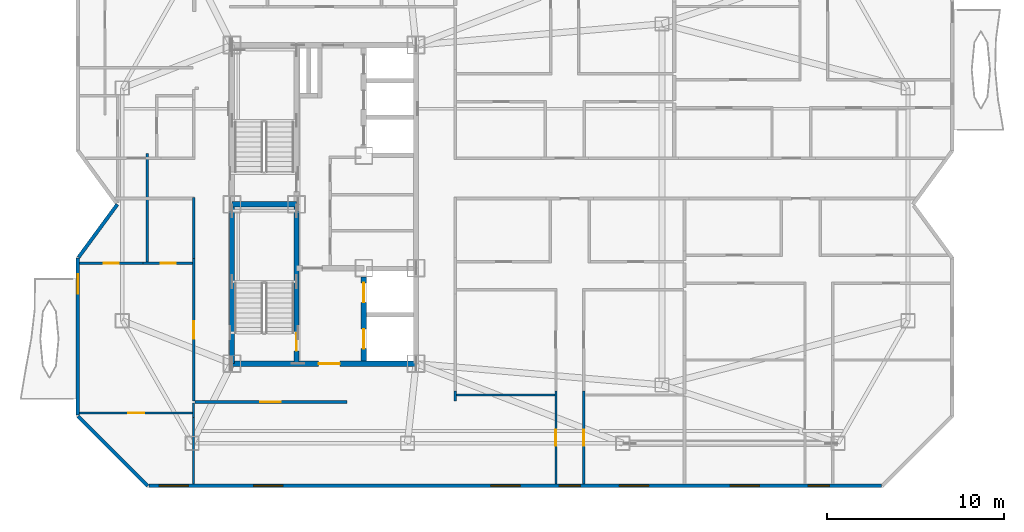
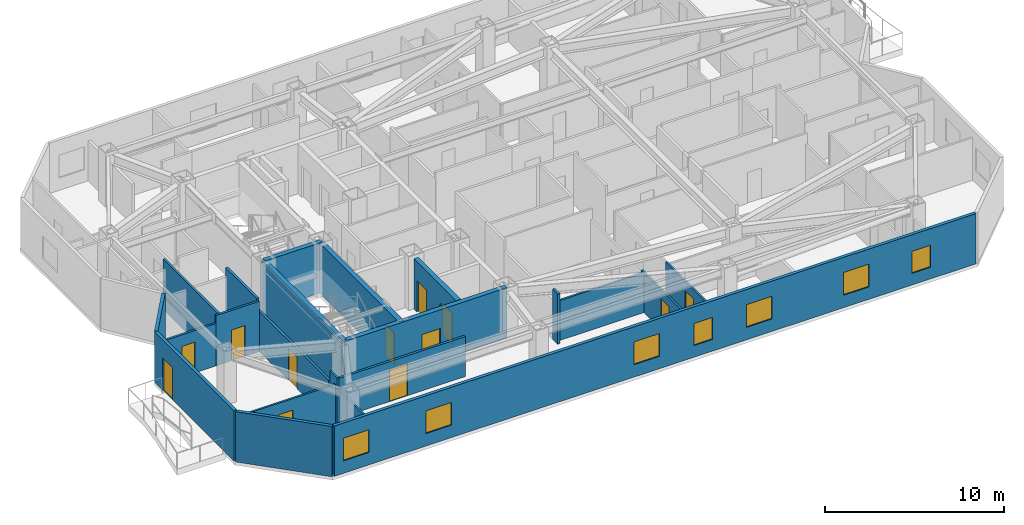
# One storey, part 4 of 10: 22 walls, 12 doors, 7 windows, 19 openings.
"""IFC4 building model written with IfcOpenShell, lengths in metres."""

from ifc_helpers import new_model, si_unit, direction, frame, frame_2d, origin, place, context, subcontext, project, spatial, rectangle, extrude, material, layer, layer_set, type_object, element, fill, save


model = new_model("IFC4")

# Units and contexts
model_context = context("Model", 3, precision=1e-05, world=origin(), true_north=direction((0.0, 1.0)))
body_context = subcontext(model_context, "Body", "Model", "MODEL_VIEW")
ifc_project = project(units=[si_unit("LENGTHUNIT", "METRE"), si_unit("AREAUNIT", "SQUARE_METRE"), si_unit("VOLUMEUNIT", "CUBIC_METRE"), si_unit("PLANEANGLEUNIT", "RADIAN"), si_unit("MASSUNIT", "GRAM", prefix="KILO")], contexts=[model_context])

# Site, building, storey
site_placement = place(None, origin())
site = spatial("IfcSite", under=ifc_project, at=site_placement, CompositionType="ELEMENT")
building_placement = place(site_placement, origin())
building = spatial("IfcBuilding", under=site, at=building_placement, Name="Khamvora Tower", CompositionType="ELEMENT")
storey_placement = place(building_placement, frame((0.0, 0.0, 250.050048828125)))
storey = spatial("IfcBuildingStorey", under=building, at=storey_placement, Name="L64", CompositionType="ELEMENT", Elevation=250.050048828125)

# Wall
ifc_material_1 = material(Name="Concrete C50/60", Category="concrete")
ifc_layer_1 = layer(ifc_material_1, 0.300048828125)
ifc_layer_set_1 = layer_set([ifc_layer_1], Name="Concrete C50/60")
wall_type_1 = type_object("IfcWallType", Name="WAL-CORE-300", PredefinedType="SHEAR", material=ifc_layer_set_1)
wall_1_placement = place(storey_placement, frame((29.0, 19.0, 0.0), z_axis=(0.0, 0.0, 1.0), x_axis=(0.0, 1.0, 0.0)))
element("IfcWall", 1, at=wall_1_placement, inside=storey, type_object=wall_type_1, Name="L64 central core west south wall", PredefinedType="SHEAR", context=body_context, shape_type="SweptSolid", body=[
    extrude(rectangle(XDim=9.0, YDim=0.300048828125, at=frame_2d((4.5, 0.0))), origin(), (0.0, 0.0, 1.0), 3.429931640625),
])

# Wall, opening, door
wall_2_placement = place(storey_placement, frame((29.0, 19.0, 0.0), z_axis=(0.0, 0.0, 1.0), x_axis=(1.0, 0.0, 0.0)))
wall_2 = element("IfcWall", 2, at=wall_2_placement, inside=storey, type_object=wall_type_1, Name="L64 central core south wall", PredefinedType="SHEAR", context=body_context, shape_type="SweptSolid", body=[
    extrude(rectangle(XDim=10.39990234375, YDim=0.300048828125, at=frame_2d((5.199951171875, 0.0))), origin(), (0.0, 0.0, 1.0), 3.429931640625),
])
opening_1_placement = place(wall_2_placement, frame((4.89990234375, 0.0, 0.0)))
opening_1 = element("IfcOpeningElement", 3, at=opening_1_placement, cuts=wall_2, Name="Opening D-CR1", PredefinedType="OPENING", context=body_context, shape_type="SweptSolid", body=[
    extrude(rectangle(XDim=1.199951171875, YDim=2.14990234375, at=frame_2d((0.60009765625, 1.074951171875))), frame((0.0, 0.159912109375, 0.0), z_axis=(0.0, -1.0, 0.0), x_axis=(1.0, 0.0, 0.0)), (0.0, 0.0, 1.0), 0.320068359375),
])
ifc_material_2 = material(Name="Powder-Coated Steel and Hardwood Leaf", Category="steel")
door_type_1 = type_object("IfcDoorType", Name="DOR-CORR-1200", OperationType="NOTDEFINED", PredefinedType="DOOR", material=ifc_material_2)
door_1_placement = place(opening_1_placement, origin())
door_1 = element("IfcDoor", 4, at=door_1_placement, inside=storey, type_object=door_type_1, Name="L64 south core lobby to corridor fire door", OperationType="SINGLE_SWING_RIGHT", OverallHeight=2.14990234375, OverallWidth=1.199951171875, PredefinedType="DOOR", context=body_context, shape_type="SweptSolid", body=[
    extrude(rectangle(XDim=1.199951171875, YDim=2.14990234375, at=frame_2d((0.60009765625, 1.074951171875))), frame((0.0, 0.02490234375, 0.0), z_axis=(0.0, -1.0, 0.0), x_axis=(1.0, 0.0, 0.0)), (0.0, 0.0, 1.0), 0.050048828125),
])
fill(opening_1, door_1)

wall_3_placement = place(storey_placement, frame((32.64990234375, 19.0, 0.0), z_axis=(0.0, 0.0, 1.0), x_axis=(0.0, 1.0, 0.0)))
wall_3 = element("IfcWall", 5, at=wall_3_placement, inside=storey, type_object=wall_type_1, Name="L64 central core stair south spine wall", PredefinedType="SHEAR", context=body_context, shape_type="SweptSolid", body=[
    extrude(rectangle(XDim=9.0, YDim=0.300048828125, at=frame_2d((4.5, 0.0))), origin(), (0.0, 0.0, 1.0), 3.429931640625),
])
opening_2_placement = place(wall_3_placement, frame((0.719970703125, 0.0, 0.0)))
opening_2 = element("IfcOpeningElement", 6, at=opening_2_placement, cuts=wall_3, Name="Opening D-ST1", PredefinedType="OPENING", context=body_context, shape_type="SweptSolid", body=[
    extrude(rectangle(XDim=1.0, YDim=2.14990234375, at=frame_2d((0.5, 1.074951171875))), frame((0.0, 0.159912109375, 0.0), z_axis=(0.0, -1.0, 0.0), x_axis=(1.0, 0.0, 0.0)), (0.0, 0.0, 1.0), 0.320068359375),
])
door_type_2 = type_object("IfcDoorType", Name="DOR-STAIR-1000", OperationType="NOTDEFINED", PredefinedType="DOOR", material=ifc_material_2)
door_2_placement = place(opening_2_placement, origin())
door_2 = element("IfcDoor", 7, at=door_2_placement, inside=storey, type_object=door_type_2, Name="L64 exit stair ST-01 fire door", OperationType="SINGLE_SWING_RIGHT", OverallHeight=2.14990234375, OverallWidth=1.0, PredefinedType="DOOR", context=body_context, shape_type="SweptSolid", body=[
    extrude(rectangle(XDim=1.0, YDim=2.14990234375, at=frame_2d((0.5, 1.074951171875))), frame((0.0, 0.02490234375, 0.0), z_axis=(0.0, -1.0, 0.0), x_axis=(1.0, 0.0, 0.0)), (0.0, 0.0, 1.0), 0.050048828125),
])
fill(opening_2, door_2)

# Wall
wall_4_placement = place(storey_placement, frame((29.0, 28.0, 0.0), z_axis=(0.0, 0.0, 1.0), x_axis=(1.0, 0.0, 0.0)))
element("IfcWall", 8, at=wall_4_placement, inside=storey, type_object=wall_type_1, Name="L64 central core stair cross wall", PredefinedType="SHEAR", context=body_context, shape_type="SweptSolid", body=[
    extrude(rectangle(XDim=3.64990234375, YDim=0.300048828125, at=frame_2d((1.824951171875, 0.0))), origin(), (0.0, 0.0, 1.0), 3.429931640625),
])

# Wall, openings, doors
wall_5_placement = place(storey_placement, frame((36.449951171875, 19.154052734375, 0.0), z_axis=(0.0, 0.0, 1.0), x_axis=(0.0, 1.0, 0.0)))
wall_5 = element("IfcWall", 9, at=wall_5_placement, inside=storey, type_object=wall_type_1, Name="L64 central core lift bank south wall", PredefinedType="SHEAR", context=body_context, shape_type="SweptSolid", body=[
    extrude(rectangle(XDim=4.745849609375, YDim=0.300048828125, at=frame_2d((2.373046875, 0.0))), origin(), (0.0, 0.0, 1.0), 3.429931640625),
])
opening_3_placement = place(wall_5_placement, frame((0.696044921875, 0.0, 0.0)))
opening_3 = element("IfcOpeningElement", 10, at=opening_3_placement, cuts=wall_5, Name="Opening LD-FFL", PredefinedType="OPENING", context=body_context, shape_type="SweptSolid", body=[
    extrude(rectangle(XDim=1.10009765625, YDim=2.14990234375, at=frame_2d((0.550048828125, 1.074951171875))), frame((0.0, 0.159912109375, 0.0), z_axis=(0.0, -1.0, 0.0), x_axis=(1.0, 0.0, 0.0)), (0.0, 0.0, 1.0), 0.320068359375),
])
opening_4_placement = place(wall_5_placement, frame((3.31591796875, 0.0, 0.0)))
opening_4 = element("IfcOpeningElement", 11, at=opening_4_placement, cuts=wall_5, Name="Opening LD-FFL", PredefinedType="OPENING", context=body_context, shape_type="SweptSolid", body=[
    extrude(rectangle(XDim=1.10009765625, YDim=2.14990234375, at=frame_2d((0.550048828125, 1.074951171875))), frame((0.0, 0.159912109375, 0.0), z_axis=(0.0, -1.0, 0.0), x_axis=(1.0, 0.0, 0.0)), (0.0, 0.0, 1.0), 0.320068359375),
])
door_type_3 = type_object("IfcDoorType", Name="DOR-LIFT-1100", OperationType="SLIDING_TO_LEFT", PredefinedType="DOOR", material=ifc_material_2)
door_3_placement = place(opening_3_placement, origin())
door_3 = element("IfcDoor", 12, at=door_3_placement, inside=storey, type_object=door_type_3, Name="L64 lift landing sliding door FFL-01", OperationType="SLIDING_TO_LEFT", OverallHeight=2.14990234375, OverallWidth=1.10009765625, PredefinedType="DOOR", context=body_context, shape_type="SweptSolid", body=[
    extrude(rectangle(XDim=1.10009765625, YDim=2.14990234375, at=frame_2d((0.550048828125, 1.074951171875))), frame((0.0, 0.02490234375, 0.0), z_axis=(0.0, -1.0, 0.0), x_axis=(1.0, 0.0, 0.0)), (0.0, 0.0, 1.0), 0.050048828125),
])
fill(opening_3, door_3)
door_4_placement = place(opening_4_placement, origin())
door_4 = element("IfcDoor", 13, at=door_4_placement, inside=storey, type_object=door_type_3, Name="L64 lift landing sliding door FFL-02", OperationType="SLIDING_TO_LEFT", OverallHeight=2.14990234375, OverallWidth=1.10009765625, PredefinedType="DOOR", context=body_context, shape_type="SweptSolid", body=[
    extrude(rectangle(XDim=1.10009765625, YDim=2.14990234375, at=frame_2d((0.550048828125, 1.074951171875))), frame((0.0, 0.02490234375, 0.0), z_axis=(0.0, -1.0, 0.0), x_axis=(1.0, 0.0, 0.0)), (0.0, 0.0, 1.0), 0.050048828125),
])
fill(opening_4, door_4)

# Wall, opening, door
ifc_material_3 = material(Name="Fire-Rated Drywall and Steel Stud", Category="steel")
ifc_layer_2 = layer(ifc_material_3, 0.14990234375)
ifc_layer_set_2 = layer_set([ifc_layer_2], Name="Fire-Rated Drywall and Steel Stud")
wall_type_2 = type_object("IfcWallType", Name="WAL-CORR-150", PredefinedType="STANDARD", material=ifc_layer_set_2)
wall_6_placement = place(storey_placement, frame((35.513916015625, 16.8349609375, 0.0), z_axis=(0.0, 0.0, 1.0), x_axis=(-1.0, 0.0, 0.0)))
wall_6 = element("IfcWall", 14, at=wall_6_placement, inside=storey, type_object=wall_type_2, Name="L64 interior partition wall 007", PredefinedType="STANDARD", context=body_context, shape_type="SweptSolid", body=[
    extrude(rectangle(XDim=8.614013671875, YDim=0.14990234375, at=frame_2d((4.30712890625, 0.0))), origin(), (0.0, 0.0, 1.0), 2.724853515625),
])
opening_5_placement = place(wall_6_placement, frame((3.7529296875, 0.0, 0.0)))
opening_5 = element("IfcOpeningElement", 15, at=opening_5_placement, cuts=wall_6, Name="Opening D-SC1", PredefinedType="OPENING", context=body_context, shape_type="SweptSolid", body=[
    extrude(rectangle(XDim=1.14990234375, YDim=2.199951171875, at=frame_2d((0.574951171875, 1.10009765625))), frame((0.0, 0.0849609375, 0.0), z_axis=(0.0, -1.0, 0.0), x_axis=(1.0, 0.0, 0.0)), (0.0, 0.0, 1.0), 0.169921875),
])
door_type_4 = type_object("IfcDoorType", Name="DOR-SCHL-1150", OperationType="NOTDEFINED", PredefinedType="DOOR", material=ifc_material_2)
door_5_placement = place(opening_5_placement, origin())
door_5 = element("IfcDoor", 16, at=door_5_placement, inside=storey, type_object=door_type_4, Name="L64 interior door COR-RCOW", OperationType="SINGLE_SWING_LEFT", OverallHeight=2.199951171875, OverallWidth=1.14990234375, PredefinedType="DOOR", context=body_context, shape_type="SweptSolid", body=[
    extrude(rectangle(XDim=1.14990234375, YDim=2.199951171875, at=frame_2d((0.574951171875, 1.10009765625))), frame((0.0, 0.02490234375, 0.0), z_axis=(0.0, -1.0, 0.0), x_axis=(1.0, 0.0, 0.0)), (0.0, 0.0, 1.0), 0.050048828125),
])
fill(opening_5, door_5)

wall_7_placement = place(storey_placement, frame((26.8349609375, 16.89990234375, 0.0), z_axis=(0.0, 0.0, 1.0), x_axis=(0.0, 1.0, 0.0)))
wall_7 = element("IfcWall", 17, at=wall_7_placement, inside=storey, type_object=wall_type_2, Name="L64 interior partition wall 008", PredefinedType="STANDARD", context=body_context, shape_type="SweptSolid", body=[
    extrude(rectangle(XDim=8.033203125, YDim=0.14990234375, at=frame_2d((4.0166015625, 0.0))), origin(), (0.0, 0.0, 1.0), 2.724853515625),
])
opening_6_placement = place(wall_7_placement, frame((3.4951171875, 0.0, 0.0)))
opening_6 = element("IfcOpeningElement", 18, at=opening_6_placement, cuts=wall_7, Name="Opening D-U1", PredefinedType="OPENING", context=body_context, shape_type="SweptSolid", body=[
    extrude(rectangle(XDim=1.0, YDim=2.14990234375, at=frame_2d((0.5, 1.074951171875))), frame((0.0, 0.0849609375, 0.0), z_axis=(0.0, -1.0, 0.0), x_axis=(1.0, 0.0, 0.0)), (0.0, 0.0, 1.0), 0.169921875),
])
door_type_5 = type_object("IfcDoorType", Name="DOR-UNIT-1000", OperationType="NOTDEFINED", PredefinedType="DOOR", material=ifc_material_2)
door_6_placement = place(opening_6_placement, origin())
door_6 = element("IfcDoor", 19, at=door_6_placement, inside=storey, type_object=door_type_5, Name="L64 interior door COR-64WAH", OperationType="SINGLE_SWING_RIGHT", OverallHeight=2.14990234375, OverallWidth=1.0, PredefinedType="DOOR", context=body_context, shape_type="SweptSolid", body=[
    extrude(rectangle(XDim=1.0, YDim=2.14990234375, at=frame_2d((0.5, 1.074951171875))), frame((0.0, 0.02490234375, 0.0), z_axis=(0.0, -1.0, 0.0), x_axis=(1.0, 0.0, 0.0)), (0.0, 0.0, 1.0), 0.050048828125),
])
fill(opening_6, door_6)

# Walls
wall_8_placement = place(storey_placement, frame((26.8349609375, 24.93310546875, 0.0), z_axis=(0.0, 0.0, 1.0), x_axis=(0.0, 1.0, 0.0)))
element("IfcWall", 20, at=wall_8_placement, inside=storey, type_object=wall_type_2, Name="L64 interior partition wall 009", PredefinedType="STANDARD", context=body_context, shape_type="SweptSolid", body=[
    extrude(rectangle(XDim=3.466796875, YDim=0.14990234375, at=frame_2d((1.7333984375, 0.0))), origin(), (0.0, 0.0, 1.0), 3.429931640625),
])
wall_9_placement = place(storey_placement, frame((41.614990234375, 17.468994140625, 0.0), z_axis=(0.0, 0.0, 1.0), x_axis=(0.0, -1.0, 0.0)))
element("IfcWall", 21, at=wall_9_placement, inside=storey, type_object=wall_type_2, Name="L64 interior partition wall 024", PredefinedType="STANDARD", context=body_context, shape_type="SweptSolid", body=[
    extrude(rectangle(XDim=0.569091796875, YDim=0.14990234375, at=frame_2d((0.28466796875, 0.0))), origin(), (0.0, 0.0, 1.0), 3.429931640625),
])
ifc_material_4 = material(Name="Precast concrete C40/50", Category="concrete")
ifc_layer_3 = layer(ifc_material_4, 0.199951171875)
ifc_layer_set_3 = layer_set([ifc_layer_3], Name="Precast concrete C40/50")
wall_type_3 = type_object("IfcWallType", Name="WAL-EXT-200", PredefinedType="STANDARD", material=ifc_layer_set_3)
wall_10_placement = place(storey_placement, frame((24.240966796875, 12.10009765625, 0.0), z_axis=(0.0, 0.0, 1.0), x_axis=(-0.707106781187, 0.707106781187, 0.0)))
element("IfcWall", 22, at=wall_10_placement, inside=storey, type_object=wall_type_3, Name="L64 exterior facade wall 01.1", PredefinedType="STANDARD", context=body_context, shape_type="SweptSolid", body=[
    extrude(rectangle(XDim=5.5732421875, YDim=0.199951171875, at=frame_2d((2.78662109375, 0.0))), origin(), (0.0, 0.0, 1.0), 3.429931640625),
])

# Wall, opening, door
wall_11_placement = place(storey_placement, frame((20.300048828125, 16.10400390625, 0.0), z_axis=(0.0, 0.0, 1.0), x_axis=(0.0, 1.0, 0.0)))
wall_11 = element("IfcWall", 23, at=wall_11_placement, inside=storey, type_object=wall_type_3, Name="L64 exterior facade wall 02.1", PredefinedType="STANDARD", context=body_context, shape_type="SweptSolid", body=[
    extrude(rectangle(XDim=8.863037109375, YDim=0.199951171875, at=frame_2d((4.431640625, 0.0))), origin(), (0.0, 0.0, 1.0), 3.429931640625),
])
opening_7_placement = place(wall_11_placement, frame((6.85595703125, 0.0, 0.0)))
opening_7 = element("IfcOpeningElement", 24, at=opening_7_placement, cuts=wall_11, Name="Opening BD-01", PredefinedType="OPENING", context=body_context, shape_type="SweptSolid", body=[
    extrude(rectangle(XDim=1.10009765625, YDim=2.199951171875, at=frame_2d((0.550048828125, 1.10009765625))), frame((0.0, 0.10986328125, 0.0), z_axis=(0.0, -1.0, 0.0), x_axis=(1.0, 0.0, 0.0)), (0.0, 0.0, 1.0), 0.219970703125),
])
ifc_material_5 = material(Name="Anodised Aluminium and Laminated Safety Glass", Category="aluminium")
door_type_6 = type_object("IfcDoorType", Name="DOR-BAL-1100", OperationType="NOTDEFINED", PredefinedType="DOOR", material=ifc_material_5)
door_7_placement = place(opening_7_placement, origin())
door_7 = element("IfcDoor", 25, at=door_7_placement, inside=storey, type_object=door_type_6, Name="L64 lens gallery balcony door WL1", OperationType="SLIDING_TO_LEFT", OverallHeight=2.199951171875, OverallWidth=1.10009765625, PredefinedType="DOOR", context=body_context, shape_type="SweptSolid", body=[
    extrude(rectangle(XDim=1.10009765625, YDim=2.199951171875, at=frame_2d((0.550048828125, 1.10009765625))), frame((0.0, 0.02490234375, 0.0), z_axis=(0.0, -1.0, 0.0), x_axis=(1.0, 0.0, 0.0)), (0.0, 0.0, 1.0), 0.050048828125),
])
fill(opening_7, door_7)

# Wall
wall_12_placement = place(storey_placement, frame((20.3291015625, 25.007080078125, 0.0), z_axis=(0.0, 0.0, 1.0), x_axis=(0.591366515379, 0.806402904564, 0.0)))
element("IfcWall", 26, at=wall_12_placement, inside=storey, type_object=wall_type_3, Name="L64 exterior facade wall 03.1", PredefinedType="STANDARD", context=body_context, shape_type="SweptSolid", body=[
    extrude(rectangle(XDim=3.71142578125, YDim=0.199951171875, at=frame_2d((1.855712890625, 0.0))), origin(), (0.0, 0.0, 1.0), 3.429931640625),
])

# Wall, openings, windows
wall_13_placement = place(storey_placement, frame((65.696044921875, 12.10009765625, 0.0), z_axis=(0.0, 0.0, 1.0), x_axis=(-1.0, 0.0, 0.0)))
wall_13 = element("IfcWall", 27, at=wall_13_placement, inside=storey, type_object=wall_type_3, Name="L64 exterior facade wall 14.1", PredefinedType="STANDARD", context=body_context, shape_type="SweptSolid", body=[
    extrude(rectangle(XDim=41.39306640625, YDim=0.199951171875, at=frame_2d((20.696533203125, 0.0))), origin(), (0.0, 0.0, 1.0), 3.429931640625),
])
opening_8_placement = place(wall_13_placement, frame((33.821044921875, 0.0, 0.85009765625)))
opening_8 = element("IfcOpeningElement", 28, at=opening_8_placement, cuts=wall_13, Name="Opening WN-06", PredefinedType="OPENING", context=body_context, shape_type="SweptSolid", body=[
    extrude(rectangle(XDim=1.64990234375, YDim=1.550048828125, at=frame_2d((0.824951171875, 0.77490234375))), frame((0.0, 0.10986328125, 0.0), z_axis=(0.0, -1.0, 0.0), x_axis=(1.0, 0.0, 0.0)), (0.0, 0.0, 1.0), 0.219970703125),
])
opening_9_placement = place(wall_13_placement, frame((39.159912109375, 0.0, 0.85009765625)))
opening_9 = element("IfcOpeningElement", 29, at=opening_9_placement, cuts=wall_13, Name="Opening WN-06", PredefinedType="OPENING", context=body_context, shape_type="SweptSolid", body=[
    extrude(rectangle(XDim=1.64990234375, YDim=1.550048828125, at=frame_2d((0.824951171875, 0.77490234375))), frame((0.0, 0.10986328125, 0.0), z_axis=(0.0, -1.0, 0.0), x_axis=(1.0, 0.0, 0.0)), (0.0, 0.0, 1.0), 0.219970703125),
])
opening_10_placement = place(wall_13_placement, frame((17.006103515625, 0.0, 0.800048828125)))
opening_10 = element("IfcOpeningElement", 30, at=opening_10_placement, cuts=wall_13, Name="Opening WN-03", PredefinedType="OPENING", context=body_context, shape_type="SweptSolid", body=[
    extrude(rectangle(XDim=1.199951171875, YDim=1.5, at=frame_2d((0.60009765625, 0.75))), frame((0.0, 0.10986328125, 0.0), z_axis=(0.0, -1.0, 0.0), x_axis=(1.0, 0.0, 0.0)), (0.0, 0.0, 1.0), 0.219970703125),
])
opening_11_placement = place(wall_13_placement, frame((20.410888671875, 0.0, 0.85009765625)))
opening_11 = element("IfcOpeningElement", 31, at=opening_11_placement, cuts=wall_13, Name="Opening WN-06", PredefinedType="OPENING", context=body_context, shape_type="SweptSolid", body=[
    extrude(rectangle(XDim=1.64990234375, YDim=1.550048828125, at=frame_2d((0.824951171875, 0.77490234375))), frame((0.0, 0.10986328125, 0.0), z_axis=(0.0, -1.0, 0.0), x_axis=(1.0, 0.0, 0.0)), (0.0, 0.0, 1.0), 0.219970703125),
])
opening_12_placement = place(wall_13_placement, frame((13.15087890625, 0.0, 0.85009765625)))
opening_12 = element("IfcOpeningElement", 32, at=opening_12_placement, cuts=wall_13, Name="Opening WN-06", PredefinedType="OPENING", context=body_context, shape_type="SweptSolid", body=[
    extrude(rectangle(XDim=1.64990234375, YDim=1.550048828125, at=frame_2d((0.824951171875, 0.77490234375))), frame((0.0, 0.10986328125, 0.0), z_axis=(0.0, -1.0, 0.0), x_axis=(1.0, 0.0, 0.0)), (0.0, 0.0, 1.0), 0.219970703125),
])
opening_13_placement = place(wall_13_placement, frame((2.93603515625, 0.0, 0.800048828125)))
opening_13 = element("IfcOpeningElement", 33, at=opening_13_placement, cuts=wall_13, Name="Opening WN-03", PredefinedType="OPENING", context=body_context, shape_type="SweptSolid", body=[
    extrude(rectangle(XDim=1.199951171875, YDim=1.5, at=frame_2d((0.60009765625, 0.75))), frame((0.0, 0.10986328125, 0.0), z_axis=(0.0, -1.0, 0.0), x_axis=(1.0, 0.0, 0.0)), (0.0, 0.0, 1.0), 0.219970703125),
])
opening_14_placement = place(wall_13_placement, frame((6.90087890625, 0.0, 0.85009765625)))
opening_14 = element("IfcOpeningElement", 34, at=opening_14_placement, cuts=wall_13, Name="Opening WN-06", PredefinedType="OPENING", context=body_context, shape_type="SweptSolid", body=[
    extrude(rectangle(XDim=1.64990234375, YDim=1.550048828125, at=frame_2d((0.824951171875, 0.77490234375))), frame((0.0, 0.10986328125, 0.0), z_axis=(0.0, -1.0, 0.0), x_axis=(1.0, 0.0, 0.0)), (0.0, 0.0, 1.0), 0.219970703125),
])
ifc_material_6 = material(Name="Low-E Laminated Double Glazing", Category="glass")
window_type_1 = type_object("IfcWindowType", Name="WIN-VIS-1200x1500", PartitioningType="SINGLE_PANEL", PredefinedType="WINDOW", material=ifc_material_6)
window_1_placement = place(opening_10_placement, origin())
window_1 = element("IfcWindow", 35, at=window_1_placement, inside=storey, type_object=window_type_1, Name="L64 vision window 14.1.03", OverallHeight=1.5, OverallWidth=1.199951171875, PartitioningType="SINGLE_PANEL", PredefinedType="WINDOW", context=body_context, shape_type="SweptSolid", body=[
    extrude(rectangle(XDim=1.199951171875, YDim=1.5, at=frame_2d((0.60009765625, 0.75))), frame((0.0, 0.030029296875, 0.0), z_axis=(0.0, -1.0, 0.0), x_axis=(1.0, 0.0, 0.0)), (0.0, 0.0, 1.0), 0.06005859375),
])
fill(opening_10, window_1)
window_2_placement = place(opening_13_placement, origin())
window_2 = element("IfcWindow", 36, at=window_2_placement, inside=storey, type_object=window_type_1, Name="L64 vision window 14.1.06", OverallHeight=1.5, OverallWidth=1.199951171875, PartitioningType="SINGLE_PANEL", PredefinedType="WINDOW", context=body_context, shape_type="SweptSolid", body=[
    extrude(rectangle(XDim=1.199951171875, YDim=1.5, at=frame_2d((0.60009765625, 0.75))), frame((0.0, 0.030029296875, 0.0), z_axis=(0.0, -1.0, 0.0), x_axis=(1.0, 0.0, 0.0)), (0.0, 0.0, 1.0), 0.06005859375),
])
fill(opening_13, window_2)
window_type_2 = type_object("IfcWindowType", Name="WIN-VIS-1650x1550", PartitioningType="SINGLE_PANEL", PredefinedType="WINDOW", material=ifc_material_6)
window_3_placement = place(opening_8_placement, origin())
window_3 = element("IfcWindow", 37, at=window_3_placement, inside=storey, type_object=window_type_2, Name="L64 vision window 14.1.01", OverallHeight=1.550048828125, OverallWidth=1.64990234375, PartitioningType="SINGLE_PANEL", PredefinedType="WINDOW", context=body_context, shape_type="SweptSolid", body=[
    extrude(rectangle(XDim=1.64990234375, YDim=1.550048828125, at=frame_2d((0.824951171875, 0.77490234375))), frame((0.0, 0.030029296875, 0.0), z_axis=(0.0, -1.0, 0.0), x_axis=(1.0, 0.0, 0.0)), (0.0, 0.0, 1.0), 0.06005859375),
])
fill(opening_8, window_3)
window_4_placement = place(opening_9_placement, origin())
window_4 = element("IfcWindow", 38, at=window_4_placement, inside=storey, type_object=window_type_2, Name="L64 vision window 14.1.02", OverallHeight=1.550048828125, OverallWidth=1.64990234375, PartitioningType="SINGLE_PANEL", PredefinedType="WINDOW", context=body_context, shape_type="SweptSolid", body=[
    extrude(rectangle(XDim=1.64990234375, YDim=1.550048828125, at=frame_2d((0.824951171875, 0.77490234375))), frame((0.0, 0.030029296875, 0.0), z_axis=(0.0, -1.0, 0.0), x_axis=(1.0, 0.0, 0.0)), (0.0, 0.0, 1.0), 0.06005859375),
])
fill(opening_9, window_4)
window_5_placement = place(opening_11_placement, origin())
window_5 = element("IfcWindow", 39, at=window_5_placement, inside=storey, type_object=window_type_2, Name="L64 vision window 14.1.04", OverallHeight=1.550048828125, OverallWidth=1.64990234375, PartitioningType="SINGLE_PANEL", PredefinedType="WINDOW", context=body_context, shape_type="SweptSolid", body=[
    extrude(rectangle(XDim=1.64990234375, YDim=1.550048828125, at=frame_2d((0.824951171875, 0.77490234375))), frame((0.0, 0.030029296875, 0.0), z_axis=(0.0, -1.0, 0.0), x_axis=(1.0, 0.0, 0.0)), (0.0, 0.0, 1.0), 0.06005859375),
])
fill(opening_11, window_5)
window_6_placement = place(opening_12_placement, origin())
window_6 = element("IfcWindow", 40, at=window_6_placement, inside=storey, type_object=window_type_2, Name="L64 vision window 14.1.05", OverallHeight=1.550048828125, OverallWidth=1.64990234375, PartitioningType="SINGLE_PANEL", PredefinedType="WINDOW", context=body_context, shape_type="SweptSolid", body=[
    extrude(rectangle(XDim=1.64990234375, YDim=1.550048828125, at=frame_2d((0.824951171875, 0.77490234375))), frame((0.0, 0.030029296875, 0.0), z_axis=(0.0, -1.0, 0.0), x_axis=(1.0, 0.0, 0.0)), (0.0, 0.0, 1.0), 0.06005859375),
])
fill(opening_12, window_6)
window_7_placement = place(opening_14_placement, origin())
window_7 = element("IfcWindow", 41, at=window_7_placement, inside=storey, type_object=window_type_2, Name="L64 vision window 14.1.07", OverallHeight=1.550048828125, OverallWidth=1.64990234375, PartitioningType="SINGLE_PANEL", PredefinedType="WINDOW", context=body_context, shape_type="SweptSolid", body=[
    extrude(rectangle(XDim=1.64990234375, YDim=1.550048828125, at=frame_2d((0.824951171875, 0.77490234375))), frame((0.0, 0.030029296875, 0.0), z_axis=(0.0, -1.0, 0.0), x_axis=(1.0, 0.0, 0.0)), (0.0, 0.0, 1.0), 0.06005859375),
])
fill(opening_14, window_7)

# Walls
ifc_material_7 = material(Name="Gypsum Plasterboard Partition", Category="gypsum")
ifc_layer_4 = layer(ifc_material_7, 0.1201171875)
ifc_layer_set_4 = layer_set([ifc_layer_4], Name="Gypsum Plasterboard Partition")
wall_type_4 = type_object("IfcWallType", Name="WAL-PART-120", PredefinedType="PARTITIONING", material=ifc_layer_set_4)
wall_14_placement = place(storey_placement, frame((26.8349609375, 15.9609375, 0.0), z_axis=(0.0, 0.0, 1.0), x_axis=(0.0, 1.0, 0.0)))
element("IfcWall", 42, at=wall_14_placement, inside=storey, type_object=wall_type_4, Name="L64 interior partition wall 039", PredefinedType="PARTITIONING", context=body_context, shape_type="SweptSolid", body=[
    extrude(rectangle(XDim=0.80908203125, YDim=0.1201171875, at=frame_2d((0.404541015625, 0.0))), origin(), (0.0, 0.0, 1.0), 3.429931640625),
])
wall_15_placement = place(storey_placement, frame((26.8349609375, 12.19189453125, 0.0), z_axis=(0.0, 0.0, 1.0), x_axis=(0.0, 1.0, 0.0)))
element("IfcWall", 43, at=wall_15_placement, inside=storey, type_object=wall_type_4, Name="L64 interior partition wall 040", PredefinedType="PARTITIONING", context=body_context, shape_type="SweptSolid", body=[
    extrude(rectangle(XDim=3.76904296875, YDim=0.1201171875, at=frame_2d((1.884521484375, 0.0))), origin(), (0.0, 0.0, 1.0), 2.724853515625),
])

# Wall, opening, door
wall_16_placement = place(storey_placement, frame((26.781005859375, 16.2099609375, 0.0), z_axis=(0.0, 0.0, 1.0), x_axis=(-1.0, 0.0, 0.0)))
wall_16 = element("IfcWall", 44, at=wall_16_placement, inside=storey, type_object=wall_type_4, Name="L64 interior partition wall 043", PredefinedType="PARTITIONING", context=body_context, shape_type="SweptSolid", body=[
    extrude(rectangle(XDim=6.388916015625, YDim=0.1201171875, at=frame_2d((3.1943359375, 0.0))), origin(), (0.0, 0.0, 1.0), 2.886962890625),
])
opening_15_placement = place(wall_16_placement, frame((2.743896484375, 0.0, 0.0)))
opening_15 = element("IfcOpeningElement", 45, at=opening_15_placement, cuts=wall_16, Name="Opening D-RM1", PredefinedType="OPENING", context=body_context, shape_type="SweptSolid", body=[
    extrude(rectangle(XDim=0.89990234375, YDim=2.10009765625, at=frame_2d((0.449951171875, 1.050048828125))), frame((0.0, 0.070068359375, 0.0), z_axis=(0.0, -1.0, 0.0), x_axis=(1.0, 0.0, 0.0)), (0.0, 0.0, 1.0), 0.14013671875),
])
door_type_7 = type_object("IfcDoorType", Name="DOR-ROOM-900", OperationType="NOTDEFINED", PredefinedType="DOOR", material=ifc_material_2)
door_8_placement = place(opening_15_placement, origin())
door_8 = element("IfcDoor", 46, at=door_8_placement, inside=storey, type_object=door_type_7, Name="L64 interior door 64WAH-64WAR1", OperationType="SINGLE_SWING_LEFT", OverallHeight=2.10009765625, OverallWidth=0.89990234375, PredefinedType="DOOR", context=body_context, shape_type="SweptSolid", body=[
    extrude(rectangle(XDim=0.89990234375, YDim=2.10009765625, at=frame_2d((0.449951171875, 1.050048828125))), frame((0.0, 0.02490234375, 0.0), z_axis=(0.0, -1.0, 0.0), x_axis=(1.0, 0.0, 0.0)), (0.0, 0.0, 1.0), 0.050048828125),
])
fill(opening_15, door_8)

wall_17_placement = place(storey_placement, frame((47.304931640625, 12.19189453125, 0.0), z_axis=(0.0, 0.0, 1.0), x_axis=(0.0, 1.0, 0.0)))
wall_17 = element("IfcWall", 47, at=wall_17_placement, inside=storey, type_object=wall_type_4, Name="L64 interior partition wall 062", PredefinedType="PARTITIONING", context=body_context, shape_type="SweptSolid", body=[
    extrude(rectangle(XDim=5.277099609375, YDim=0.1201171875, at=frame_2d((2.638671875, 0.0))), origin(), (0.0, 0.0, 1.0), 2.724853515625),
])
opening_16_placement = place(wall_17_placement, frame((2.1669921875, 0.0, 0.0)))
opening_16 = element("IfcOpeningElement", 48, at=opening_16_placement, cuts=wall_17, Name="Opening D-RM1", PredefinedType="OPENING", context=body_context, shape_type="SweptSolid", body=[
    extrude(rectangle(XDim=0.89990234375, YDim=2.10009765625, at=frame_2d((0.449951171875, 1.050048828125))), frame((0.0, 0.070068359375, 0.0), z_axis=(0.0, -1.0, 0.0), x_axis=(1.0, 0.0, 0.0)), (0.0, 0.0, 1.0), 0.14013671875),
])
door_9_placement = place(opening_16_placement, origin())
door_9 = element("IfcDoor", 49, at=door_9_placement, inside=storey, type_object=door_type_7, Name="L64 interior door 64EA1H-64EA1L", OperationType="SINGLE_SWING_LEFT", OverallHeight=2.10009765625, OverallWidth=0.89990234375, PredefinedType="DOOR", context=body_context, shape_type="SweptSolid", body=[
    extrude(rectangle(XDim=0.89990234375, YDim=2.10009765625, at=frame_2d((0.449951171875, 1.050048828125))), frame((0.0, 0.02490234375, 0.0), z_axis=(0.0, -1.0, 0.0), x_axis=(1.0, 0.0, 0.0)), (0.0, 0.0, 1.0), 0.050048828125),
])
fill(opening_16, door_9)

wall_18_placement = place(storey_placement, frame((48.875, 17.468994140625, 0.0), z_axis=(0.0, 0.0, 1.0), x_axis=(0.0, -1.0, 0.0)))
wall_18 = element("IfcWall", 50, at=wall_18_placement, inside=storey, type_object=wall_type_4, Name="L64 interior partition wall 065", PredefinedType="PARTITIONING", context=body_context, shape_type="SweptSolid", body=[
    extrude(rectangle(XDim=5.277099609375, YDim=0.1201171875, at=frame_2d((2.638671875, 0.0))), origin(), (0.0, 0.0, 1.0), 2.724853515625),
])
opening_17_placement = place(wall_18_placement, frame((2.208984375, 0.0, 0.0)))
opening_17 = element("IfcOpeningElement", 51, at=opening_17_placement, cuts=wall_18, Name="Opening D-RM1", PredefinedType="OPENING", context=body_context, shape_type="SweptSolid", body=[
    extrude(rectangle(XDim=0.89990234375, YDim=2.10009765625, at=frame_2d((0.449951171875, 1.050048828125))), frame((0.0, 0.070068359375, 0.0), z_axis=(0.0, -1.0, 0.0), x_axis=(1.0, 0.0, 0.0)), (0.0, 0.0, 1.0), 0.14013671875),
])
door_10_placement = place(opening_17_placement, origin())
door_10 = element("IfcDoor", 52, at=door_10_placement, inside=storey, type_object=door_type_7, Name="L64 interior door 64EA1H-64EA1R3", OperationType="SINGLE_SWING_LEFT", OverallHeight=2.10009765625, OverallWidth=0.89990234375, PredefinedType="DOOR", context=body_context, shape_type="SweptSolid", body=[
    extrude(rectangle(XDim=0.89990234375, YDim=2.10009765625, at=frame_2d((0.449951171875, 1.050048828125))), frame((0.0, 0.02490234375, 0.0), z_axis=(0.0, -1.0, 0.0), x_axis=(1.0, 0.0, 0.0)), (0.0, 0.0, 1.0), 0.050048828125),
])
fill(opening_17, door_10)

# Wall
wall_19_placement = place(storey_placement, frame((41.681884765625, 17.219970703125, 0.0), z_axis=(0.0, 0.0, 1.0), x_axis=(1.0, 0.0, 0.0)))
element("IfcWall", 53, at=wall_19_placement, inside=storey, type_object=wall_type_4, Name="L64 interior partition wall 071", PredefinedType="PARTITIONING", context=body_context, shape_type="SweptSolid", body=[
    extrude(rectangle(XDim=5.569091796875, YDim=0.1201171875, at=frame_2d((2.78466796875, 0.0))), origin(), (0.0, 0.0, 1.0), 2.724853515625),
])

# Wall, opening, door
ifc_material_8 = material(Name="Moisture-Resistant Plasterboard Partition", Category="gypsum")
ifc_layer_5 = layer(ifc_material_8, 0.135009765625)
ifc_layer_set_5 = layer_set([ifc_layer_5], Name="Moisture-Resistant Plasterboard Partition")
wall_type_5 = type_object("IfcWallType", Name="WAL-WET-135", PredefinedType="PARTITIONING", material=ifc_layer_set_5)
wall_20_placement = place(storey_placement, frame((23.970947265625, 24.68408203125, 0.0), z_axis=(0.0, 0.0, 1.0), x_axis=(1.0, 0.0, 0.0)))
wall_20 = element("IfcWall", 54, at=wall_20_placement, inside=storey, type_object=wall_type_5, Name="L64 interior partition wall 041", PredefinedType="PARTITIONING", context=body_context, shape_type="SweptSolid", body=[
    extrude(rectangle(XDim=2.799072265625, YDim=0.135009765625, at=frame_2d((1.3994140625, 0.0))), origin(), (0.0, 0.0, 1.0), 3.429931640625),
])
opening_18_placement = place(wall_20_placement, frame((0.9951171875, 0.0, 0.0)))
opening_18 = element("IfcOpeningElement", 55, at=opening_18_placement, cuts=wall_20, Name="Opening D-WC1", PredefinedType="OPENING", context=body_context, shape_type="SweptSolid", body=[
    extrude(rectangle(XDim=0.85009765625, YDim=2.10009765625, at=frame_2d((0.425048828125, 1.050048828125))), frame((0.0, 0.077392578125, 0.0), z_axis=(0.0, -1.0, 0.0), x_axis=(1.0, 0.0, 0.0)), (0.0, 0.0, 1.0), 0.155029296875),
])
door_type_8 = type_object("IfcDoorType", Name="DOR-WET-850", OperationType="NOTDEFINED", PredefinedType="DOOR", material=ifc_material_2)
door_11_placement = place(opening_18_placement, origin())
door_11 = element("IfcDoor", 56, at=door_11_placement, inside=storey, type_object=door_type_8, Name="L64 interior door 64WAH-64WAB", OperationType="SINGLE_SWING_LEFT", OverallHeight=2.10009765625, OverallWidth=0.85009765625, PredefinedType="DOOR", context=body_context, shape_type="SweptSolid", body=[
    extrude(rectangle(XDim=0.85009765625, YDim=2.10009765625, at=frame_2d((0.425048828125, 1.050048828125))), frame((0.0, 0.02490234375, 0.0), z_axis=(0.0, -1.0, 0.0), x_axis=(1.0, 0.0, 0.0)), (0.0, 0.0, 1.0), 0.050048828125),
])
fill(opening_18, door_11)

wall_21_placement = place(storey_placement, frame((20.39208984375, 24.68408203125, 0.0), z_axis=(0.0, 0.0, 1.0), x_axis=(1.0, 0.0, 0.0)))
wall_21 = element("IfcWall", 57, at=wall_21_placement, inside=storey, type_object=wall_type_5, Name="L64 interior partition wall 042", PredefinedType="PARTITIONING", context=body_context, shape_type="SweptSolid", body=[
    extrude(rectangle(XDim=3.578857421875, YDim=0.135009765625, at=frame_2d((1.78955078125, 0.0))), origin(), (0.0, 0.0, 1.0), 2.886962890625),
])
opening_19_placement = place(wall_21_placement, frame((1.364990234375, 0.0, 0.0)))
opening_19 = element("IfcOpeningElement", 58, at=opening_19_placement, cuts=wall_21, Name="Opening D-RM2", PredefinedType="OPENING", context=body_context, shape_type="SweptSolid", body=[
    extrude(rectangle(XDim=0.85009765625, YDim=2.10009765625, at=frame_2d((0.425048828125, 1.050048828125))), frame((0.0, 0.077392578125, 0.0), z_axis=(0.0, -1.0, 0.0), x_axis=(1.0, 0.0, 0.0)), (0.0, 0.0, 1.0), 0.155029296875),
])
door_type_9 = type_object("IfcDoorType", Name="DOR-ROOM-850", OperationType="NOTDEFINED", PredefinedType="DOOR", material=ifc_material_2)
door_12_placement = place(opening_19_placement, origin())
door_12 = element("IfcDoor", 59, at=door_12_placement, inside=storey, type_object=door_type_9, Name="L64 interior door 64WAH-64WAK", OperationType="SINGLE_SWING_RIGHT", OverallHeight=2.10009765625, OverallWidth=0.85009765625, PredefinedType="DOOR", context=body_context, shape_type="SweptSolid", body=[
    extrude(rectangle(XDim=0.85009765625, YDim=2.10009765625, at=frame_2d((0.425048828125, 1.050048828125))), frame((0.0, 0.02490234375, 0.0), z_axis=(0.0, -1.0, 0.0), x_axis=(1.0, 0.0, 0.0)), (0.0, 0.0, 1.0), 0.050048828125),
])
fill(opening_19, door_12)

# Wall
wall_22_placement = place(storey_placement, frame((24.219970703125, 24.7451171875, 0.0), z_axis=(0.0, 0.0, 1.0), x_axis=(0.0, 1.0, 0.0)))
element("IfcWall", 60, at=wall_22_placement, inside=storey, type_object=wall_type_5, Name="L64 interior partition wall 044", PredefinedType="PARTITIONING", context=body_context, shape_type="SweptSolid", body=[
    extrude(rectangle(XDim=6.125, YDim=0.135009765625, at=frame_2d((3.0625, 0.0))), origin(), (0.0, 0.0, 1.0), 3.429931640625),
])

save(model, "model.ifc")
